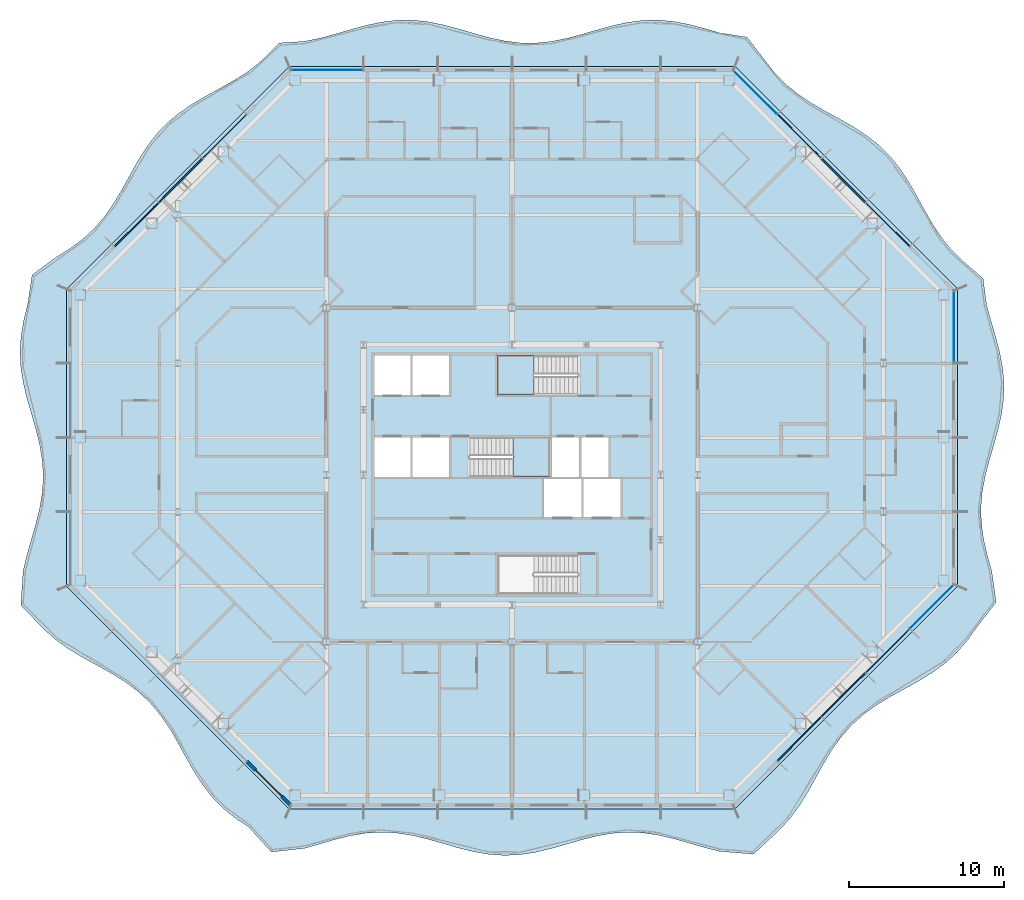
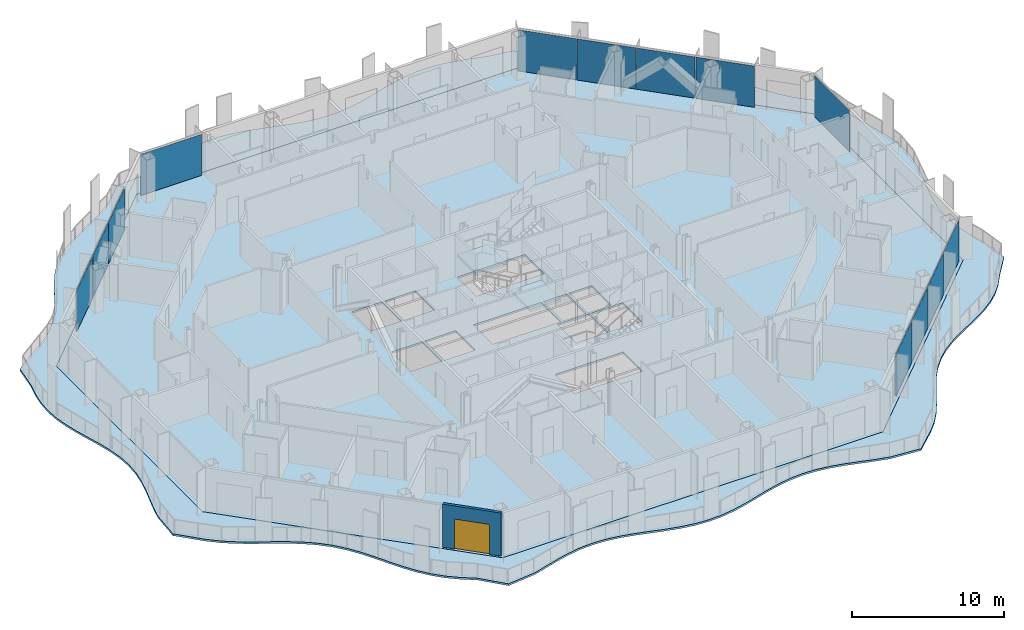
# One storey, part 6 of 21: 13 plates, 4 slabs, 1 door, 1 wall, 1 opening, 7 elements without a shape of their own.
"""IFC4 building model written with IfcOpenShell, lengths in metres."""

from ifc_helpers import new_model, si_unit, direction, frame, frame_2d, origin, origin_2d, place, context, subcontext, project, spatial, polyline, rectangle, outline, extrude, material, layer, layer_set, type_object, element, fill, aggregate, save


model = new_model("IFC4")

# Units and contexts
model_context = context("Model", 3, precision=1e-05, world=origin(), true_north=direction((0.0, 1.0)))
body_context = subcontext(model_context, "Body", "Model", "MODEL_VIEW")
ifc_project = project(units=[si_unit("LENGTHUNIT", "METRE"), si_unit("AREAUNIT", "SQUARE_METRE"), si_unit("VOLUMEUNIT", "CUBIC_METRE"), si_unit("PLANEANGLEUNIT", "RADIAN"), si_unit("MASSUNIT", "GRAM", prefix="KILO")], contexts=[model_context])

# Site, building, storey
site_placement = place(None, origin())
site = spatial("IfcSite", under=ifc_project, at=site_placement, CompositionType="ELEMENT")
building_placement = place(site_placement, origin())
building = spatial("IfcBuilding", under=site, at=building_placement, Name="Cairn Pilgrim Tower", CompositionType="ELEMENT")
storey_placement = place(building_placement, frame((0.0, 0.0, 143.39990234375)))
storey = spatial("IfcBuildingStorey", under=building, at=storey_placement, Name="L35", CompositionType="ELEMENT", Elevation=143.39990234375)

# Slabs
ifc_material_1 = material(Name="Concrete C35/45", Category="concrete")
ifc_layer_1 = layer(ifc_material_1, 0.14990234375)
ifc_layer_set_1 = layer_set([ifc_layer_1], Name="BALCONY SLAB 150 CONCRETE C35/45")
slab_type_1 = type_object("IfcSlabType", Name="BALCONY SLAB 150 CONCRETE C35/45", PredefinedType="FLOOR", material=ifc_layer_set_1)
slab_1_placement = place(storey_placement, frame((0.0, 0.0, -0.14990234375)))
element("IfcSlab", 1, at=slab_1_placement, inside=storey, type_object=slab_type_1, Name="Balcony slab BS-1", PredefinedType="FLOOR", context=body_context, shape_type="SweptSolid", body=[
    extrude(outline(polyline([(-9.81591796875, -20.375732421875), (-8.3515625, -21.980224609375), (-6.206787109375, -21.73876953125), (-5.2138671875, -21.4541015625), (-4.220703125, -21.168701171875), (-3.2275390625, -20.925537109375), (-2.234375, -20.760986328125), (-1.241455078125, -20.7001953125), (-0.248291015625, -20.751708984375), (0.744873046875, -20.908203125), (1.738037109375, -21.146240234375), (2.73095703125, -21.4296875), (3.72412109375, -21.71630859375), (4.71728515625, -21.962890625), (5.71044921875, -22.13232421875), (6.703369140625, -22.199462890625), (7.696533203125, -22.154052734375), (8.689697265625, -22.002685546875), (9.682861328125, -21.7685546875), (10.67578125, -21.486572265625), (11.6689453125, -21.198974609375), (12.662109375, -20.94921875), (13.6552734375, -20.7744140625), (14.648193359375, -20.701416015625), (15.641357421875, -20.740478515625), (16.634521484375, -20.88623046875), (17.627685546875, -21.11669921875), (18.62060546875, -21.397216796875), (19.61376953125, -21.685546875), (20.60693359375, -21.938720703125), (22.808837890625, -22.1181640625), (24.43994140625, -20.599853515625), (25.133056640625, -19.85302734375), (25.746826171875, -19.02685546875), (26.298095703125, -18.13818359375), (26.813720703125, -17.213623046875), (27.32568359375, -16.28564453125), (27.86669921875, -15.38671875), (28.46533203125, -14.54541015625), (29.140625, -13.78076171875), (29.899658203125, -13.099609375), (30.736083984375, -12.49609375), (31.631591796875, -11.95166015625), (32.55859375, -11.438720703125), (33.484619140625, -10.924560546875), (34.376708984375, -10.376708984375), (35.2080078125, -9.767822265625), (35.9609375, -9.080810546875), (36.630126953125, -8.31005859375), (37.223876953125, -7.4638671875), (38.49169921875, -5.83203125), (38.198486328125, -3.78955078125), (37.913330078125, -2.779052734375), (37.680419921875, -1.768310546875), (37.5361328125, -0.7578125), (37.502685546875, 0.252685546875), (37.58544921875, 1.26318359375), (37.771484375, 2.273681640625), (38.031982421875, 3.2841796875), (38.326171875, 4.294677734375), (38.608642578125, 5.30517578125), (38.83544921875, 6.315673828125), (38.97119140625, 7.326416015625), (38.99462890625, 8.3369140625), (38.902587890625, 9.347412109375), (38.708984375, 10.35791015625), (38.444091796875, 11.368408203125), (38.149169921875, 12.37890625), (37.86962890625, 13.389404296875), (37.6494140625, 15.083251953125), (36.356201171875, 16.196044921875), (35.627197265625, 16.9072265625), (34.98095703125, 17.700927734375), (34.40576171875, 18.565673828125), (33.87841796875, 19.478515625), (33.369140625, 20.4091796875), (32.84423828125, 21.32421875), (32.273193359375, 22.193115234375), (31.63232421875, 22.9921875), (30.9091796875, 23.709228515625), (30.104248046875, 24.34423828125), (29.23095703125, 24.9111328125), (28.313720703125, 25.43359375), (27.383056640625, 25.943115234375), (26.472900390625, 26.472900390625), (25.61279296875, 27.052734375), (24.824951171875, 27.705078125), (24.1201171875, 28.440185546875), (23.495849609375, 29.255859375), (22.38330078125, 30.691162109375), (20.60693359375, 30.968505859375), (19.61376953125, 31.258056640625), (18.62060546875, 31.516357421875), (17.627685546875, 31.70458984375), (16.634521484375, 31.794677734375), (15.641357421875, 31.772705078125), (14.648193359375, 31.642333984375), (13.6552734375, 31.423095703125), (12.662109375, 31.147705078125), (11.6689453125, 30.857666015625), (10.67578125, 30.596435546875), (9.682861328125, 30.403564453125), (8.689697265625, 30.307373046875), (7.696533203125, 30.322998046875), (6.703369140625, 30.44775390625), (5.71044921875, 30.662841796875), (4.71728515625, 30.936279296875), (3.72412109375, 31.2265625), (2.73095703125, 31.490478515625), (1.738037109375, 31.688232421875), (0.744873046875, 31.7900390625), (-0.248291015625, 31.78076171875), (-1.241455078125, 31.661865234375), (-2.234375, 31.450927734375), (-3.2275390625, 31.179931640625), (-4.220703125, 30.88916015625), (-5.2138671875, 30.622802734375), (-6.206787109375, 30.42041015625), (-7.82666015625, 30.312744140625), (-8.992919921875, 29.15283203125), (-9.7978515625, 28.517822265625), (-10.671142578125, 27.951171875), (-11.58837890625, 27.428466796875), (-12.51904296875, 26.9189453125), (-13.42919921875, 26.38916015625), (-14.289306640625, 25.809326171875), (-15.076904296875, 25.156982421875), (-15.78173828125, 24.421875), (-16.406005859375, 23.60595703125), (-16.964599609375, 22.724609375), (-17.4833984375, 21.803466796875), (-17.993896484375, 20.873779296875), (-18.529052734375, 19.968994140625), (-19.1181640625, 19.1181640625), (-19.781982421875, 18.342041015625), (-20.529296875, 17.649169921875), (-21.355712890625, 17.03564453125), (-22.244384765625, 16.484375), (-23.81884765625, 15.319091796875), (-24.11083984375, 13.389404296875), (-24.3623046875, 12.37890625), (-24.5341796875, 11.368408203125), (-24.599853515625, 10.35791015625), (-24.548828125, 9.347412109375), (-24.38916015625, 8.3369140625), (-24.145751953125, 7.326416015625), (-23.8564453125, 6.315673828125), (-23.566162109375, 5.30517578125), (-23.31982421875, 4.294677734375), (-23.156005859375, 3.2841796875), (-23.10009765625, 2.273681640625), (-23.16064453125, 1.26318359375), (-23.328369140625, 0.252685546875), (-23.5771484375, -0.7578125), (-23.868408203125, -1.768310546875), (-24.15673828125, -2.779052734375), (-24.3974609375, -3.78955078125), (-24.552978515625, -6.023193359375), (-23.000732421875, -7.640869140625), (-22.22998046875, -8.309814453125), (-21.383544921875, -8.903564453125), (-20.4814453125, -9.44140625), (-19.552490234375, -9.952392578125), (-18.629638671875, -10.469482421875), (-17.744873046875, -11.02490234375), (-16.924072265625, -11.64404296875), (-16.183349609375, -12.34326171875), (-15.52587890625, -13.1259765625), (-14.94189453125, -13.981689453125), (-14.40966796875, -14.8896484375), (-13.899658203125, -15.81982421875), (-13.379150390625, -16.739013671875), (-12.81591796875, -17.615966796875), (-12.18603515625, -18.426025390625), (-11.474609375, -19.154541015625), (-10.6806640625, -19.80078125), (-9.81591796875, -20.375732421875)]), holes=[polyline([(21.60009765625, -19.199951171875), (-7.199951171875, -19.199951171875), (-21.60009765625, -4.800048828125), (-21.60009765625, 14.39990234375), (-7.199951171875, 28.800048828125), (21.60009765625, 28.800048828125), (36.0, 14.39990234375), (36.0, -4.800048828125), (21.60009765625, -19.199951171875)])]), origin(), (0.0, 0.0, 1.0), 0.14990234375),
])
ifc_layer_2 = layer(ifc_material_1, 0.14990234375)
ifc_layer_set_2 = layer_set([ifc_layer_2], Name="COMPOSITE FLOOR SLAB 150")
slab_type_2 = type_object("IfcSlabType", Name="COMPOSITE FLOOR SLAB 150", PredefinedType="FLOOR", material=ifc_layer_set_2)
slab_2_placement = place(storey_placement, frame((0.0, 0.0, -0.14990234375)))
element("IfcSlab", 2, at=slab_2_placement, inside=storey, type_object=slab_type_2, Name="FLOOR SLAB L35", PredefinedType="FLOOR", context=body_context, shape_type="SweptSolid", body=[
    extrude(outline(polyline([(-7.199951171875, -19.199951171875), (21.60009765625, -19.199951171875), (36.0, -4.800048828125), (36.0, 14.39990234375), (21.60009765625, 28.800048828125), (-7.199951171875, 28.800048828125), (-21.60009765625, 14.39990234375), (-21.60009765625, -4.800048828125), (-7.199951171875, -19.199951171875)]), holes=[polyline([(9.27490234375, -0.324951171875), (11.675048828125, -0.324951171875), (11.675048828125, 2.125), (9.27490234375, 2.125), (9.27490234375, -0.324951171875)]), polyline([(11.824951171875, -0.324951171875), (14.22509765625, -0.324951171875), (14.22509765625, 2.125), (11.824951171875, 2.125), (11.824951171875, -0.324951171875)]), polyline([(-1.72509765625, 2.27490234375), (0.625, 2.27490234375), (0.625, 4.824951171875), (-1.72509765625, 4.824951171875), (-1.72509765625, 2.27490234375)]), polyline([(0.77490234375, 2.27490234375), (3.125, 2.27490234375), (3.125, 4.824951171875), (0.77490234375, 4.824951171875), (0.77490234375, 2.27490234375)]), polyline([(-1.72509765625, 7.574951171875), (0.625, 7.574951171875), (0.625, 10.10009765625), (-1.72509765625, 10.10009765625), (-1.72509765625, 7.574951171875)]), polyline([(0.77490234375, 7.574951171875), (3.125, 7.574951171875), (3.125, 10.10009765625), (0.77490234375, 10.10009765625), (0.77490234375, 7.574951171875)]), polyline([(9.77490234375, 2.27490234375), (11.52490234375, 2.27490234375), (11.52490234375, 4.824951171875), (9.77490234375, 4.824951171875), (9.77490234375, 2.27490234375)]), polyline([(11.675048828125, 2.27490234375), (13.425048828125, 2.27490234375), (13.425048828125, 4.824951171875), (11.675048828125, 4.824951171875), (11.675048828125, 2.27490234375)]), polyline([(11.424560546875, -2.77490234375), (6.27490234375, -2.77490234375), (6.27490234375, -5.300048828125), (11.424560546875, -5.300048828125), (11.424560546875, -2.77490234375)]), polyline([(4.4755859375, 2.27490234375), (9.625, 2.27490234375), (9.625, 4.824951171875), (4.4755859375, 4.824951171875), (4.4755859375, 2.27490234375)]), polyline([(11.424560546875, 10.10009765625), (6.27490234375, 10.10009765625), (6.27490234375, 7.574951171875), (11.424560546875, 7.574951171875), (11.424560546875, 10.10009765625)])]), origin(), (0.0, 0.0, 1.0), 0.14990234375),
])

# Curtain wall, plates
ifc_material_2 = material(Name="Aluminium alloy 6063-T6 bronze anodised with Bronze tinted laminated low-E glass 8+16+8.8", Category="aluminium")
curtain_wall_type_1 = type_object("IfcCurtainWallType", Name="CHAMFER CORNER CURTAIN WALL", PredefinedType="NOTDEFINED", material=ifc_material_2)
curtain_wall_1_placement = place(storey_placement, origin())
curtain_wall_1 = element("IfcCurtainWall", 3, at=curtain_wall_1_placement, inside=storey, type_object=curtain_wall_type_1, Name="Chamfer Corner Curtain Wall SE", PredefinedType="NOTDEFINED")
ifc_material_3 = material(Name="Bronze anodised aluminium spandrel panel with mineral wool insulation", Category="aluminium")
ifc_layer_3 = layer(ifc_material_3, 0.06005859375)
ifc_layer_set_3 = layer_set([ifc_layer_3], Name="SPANDREL PANEL 3972x3300")
plate_type_1 = type_object("IfcPlateType", Name="SPANDREL PANEL 3972x3300", PredefinedType="CURTAIN_PANEL", material=ifc_layer_set_3)
plate_1_placement = place(storey_placement, frame((25.7724609375, -14.673828125, 0.0), z_axis=(0.0, 0.0, 1.0), x_axis=(0.707106781187, 0.707106781187, 0.0)))
plate_1 = element("IfcPlate", 4, at=plate_1_placement, type_object=plate_type_1, Name="Spandrel Panel SE2-1", PredefinedType="CURTAIN_PANEL", context=body_context, shape_type="SweptSolid", body=[
    extrude(rectangle(XDim=3.971435546875, YDim=0.06005859375, at=origin_2d()), origin(), (0.0, 0.0, 1.0), 3.300048828125),
])
plate_2_placement = place(storey_placement, frame((28.623291015625, -11.8232421875, 0.0), z_axis=(0.0, 0.0, 1.0), x_axis=(0.707106781187, 0.707106781187, 0.0)))
plate_2 = element("IfcPlate", 5, at=plate_2_placement, type_object=plate_type_1, Name="Spandrel Panel SE3-1", PredefinedType="CURTAIN_PANEL", context=body_context, shape_type="SweptSolid", body=[
    extrude(rectangle(XDim=3.971435546875, YDim=0.06005859375, at=origin_2d()), origin(), (0.0, 0.0, 1.0), 3.300048828125),
])
plate_3_placement = place(storey_placement, frame((31.473876953125, -8.972412109375, 0.0), z_axis=(0.0, 0.0, 1.0), x_axis=(0.707106781187, 0.707106781187, 0.0)))
plate_3 = element("IfcPlate", 6, at=plate_3_placement, type_object=plate_type_1, Name="Spandrel Panel SE4-1", PredefinedType="CURTAIN_PANEL", context=body_context, shape_type="SweptSolid", body=[
    extrude(rectangle(XDim=3.971435546875, YDim=0.06005859375, at=origin_2d()), origin(), (0.0, 0.0, 1.0), 3.300048828125),
])

curtain_wall_2_placement = place(storey_placement, origin())
curtain_wall_2 = element("IfcCurtainWall", 7, at=curtain_wall_2_placement, inside=storey, type_object=curtain_wall_type_1, Name="Chamfer Corner Curtain Wall NE", PredefinedType="NOTDEFINED")
plate_4_placement = place(storey_placement, frame((31.473876953125, 18.572509765625, 0.0), z_axis=(0.0, 0.0, 1.0), x_axis=(-0.707106781187, 0.707106781187, 0.0)))
plate_4 = element("IfcPlate", 8, at=plate_4_placement, type_object=plate_type_1, Name="Spandrel Panel NE2-1", PredefinedType="CURTAIN_PANEL", context=body_context, shape_type="SweptSolid", body=[
    extrude(rectangle(XDim=3.971435546875, YDim=0.06005859375, at=origin_2d()), origin(), (0.0, 0.0, 1.0), 3.300048828125),
])
plate_5_placement = place(storey_placement, frame((28.623291015625, 21.42333984375, 0.0), z_axis=(0.0, 0.0, 1.0), x_axis=(-0.707106781187, 0.707106781187, 0.0)))
plate_5 = element("IfcPlate", 9, at=plate_5_placement, type_object=plate_type_1, Name="Spandrel Panel NE3-1", PredefinedType="CURTAIN_PANEL", context=body_context, shape_type="SweptSolid", body=[
    extrude(rectangle(XDim=3.971435546875, YDim=0.06005859375, at=origin_2d()), origin(), (0.0, 0.0, 1.0), 3.300048828125),
])
plate_6_placement = place(storey_placement, frame((25.7724609375, 24.27392578125, 0.0), z_axis=(0.0, 0.0, 1.0), x_axis=(-0.707106781187, 0.707106781187, 0.0)))
plate_6 = element("IfcPlate", 10, at=plate_6_placement, type_object=plate_type_1, Name="Spandrel Panel NE4-1", PredefinedType="CURTAIN_PANEL", context=body_context, shape_type="SweptSolid", body=[
    extrude(rectangle(XDim=3.971435546875, YDim=0.06005859375, at=origin_2d()), origin(), (0.0, 0.0, 1.0), 3.300048828125),
])

curtain_wall_3_placement = place(storey_placement, origin())
curtain_wall_3 = element("IfcCurtainWall", 11, at=curtain_wall_3_placement, inside=storey, type_object=curtain_wall_type_1, Name="Chamfer Corner Curtain Wall NW", PredefinedType="NOTDEFINED")
plate_7_placement = place(storey_placement, frame((-11.37255859375, 24.27392578125, 0.0), z_axis=(0.0, 0.0, 1.0), x_axis=(-0.707106781187, -0.707106781187, 0.0)))
plate_7 = element("IfcPlate", 12, at=plate_7_placement, type_object=plate_type_1, Name="Spandrel Panel NW2-1", PredefinedType="CURTAIN_PANEL", context=body_context, shape_type="SweptSolid", body=[
    extrude(rectangle(XDim=3.971435546875, YDim=0.06005859375, at=origin_2d()), origin(), (0.0, 0.0, 1.0), 3.300048828125),
])
plate_8_placement = place(storey_placement, frame((-14.22314453125, 21.42333984375, 0.0), z_axis=(0.0, 0.0, 1.0), x_axis=(-0.707106781187, -0.707106781187, 0.0)))
plate_8 = element("IfcPlate", 13, at=plate_8_placement, type_object=plate_type_1, Name="Spandrel Panel NW3-1", PredefinedType="CURTAIN_PANEL", context=body_context, shape_type="SweptSolid", body=[
    extrude(rectangle(XDim=3.971435546875, YDim=0.06005859375, at=origin_2d()), origin(), (0.0, 0.0, 1.0), 3.300048828125),
])
plate_9_placement = place(storey_placement, frame((-17.073974609375, 18.572509765625, 0.0), z_axis=(0.0, 0.0, 1.0), x_axis=(-0.707106781187, -0.707106781187, 0.0)))
plate_9 = element("IfcPlate", 14, at=plate_9_placement, type_object=plate_type_1, Name="Spandrel Panel NW4-1", PredefinedType="CURTAIN_PANEL", context=body_context, shape_type="SweptSolid", body=[
    extrude(rectangle(XDim=3.971435546875, YDim=0.06005859375, at=origin_2d()), origin(), (0.0, 0.0, 1.0), 3.300048828125),
])
aggregate(curtain_wall_3, [plate_7, plate_8, plate_9])

# Stair, slab
ifc_material_4 = material(Name="Concrete C32/40", Category="concrete")
stair_type = type_object("IfcStairType", Name="EXIT STAIR 1200", PredefinedType="HALF_TURN_STAIR", material=ifc_material_4)
stair_1_placement = place(storey_placement, origin())
stair_1 = element("IfcStair", 15, at=stair_1_placement, inside=storey, type_object=stair_type, Name="L35 Exit Stair B", PredefinedType="HALF_TURN_STAIR")
ifc_layer_4 = layer(ifc_material_4, 0.199951171875)
ifc_layer_set_4 = layer_set([ifc_layer_4], Name="STAIR LANDING 200")
slab_type_3 = type_object("IfcSlabType", Name="STAIR LANDING 200", PredefinedType="LANDING", material=ifc_layer_set_4)
slab_3_placement = place(storey_placement, frame((0.0, 0.0, 1.60009765625)))
slab_3 = element("IfcSlab", 16, at=slab_3_placement, type_object=slab_type_3, Name="ST-B landing 1", PredefinedType="LANDING", context=body_context, shape_type="SweptSolid", body=[
    extrude(outline(polyline([(7.27490234375, 2.27490234375), (9.625, 2.27490234375), (9.625, 4.824951171875), (7.27490234375, 4.824951171875), (7.27490234375, 2.27490234375)])), origin(), (0.0, 0.0, 1.0), 0.199951171875),
])
aggregate(stair_1, [slab_3])

stair_2_placement = place(storey_placement, origin())
stair_2 = element("IfcStair", 17, at=stair_2_placement, inside=storey, type_object=stair_type, Name="L35 Exit Stair C", PredefinedType="HALF_TURN_STAIR")
slab_4_placement = place(storey_placement, frame((0.0, 0.0, 1.60009765625)))
slab_4 = element("IfcSlab", 18, at=slab_4_placement, type_object=slab_type_3, Name="ST-C landing 1", PredefinedType="LANDING", context=body_context, shape_type="SweptSolid", body=[
    extrude(outline(polyline([(8.625, 10.10009765625), (6.27490234375, 10.10009765625), (6.27490234375, 7.574951171875), (8.625, 7.574951171875), (8.625, 10.10009765625)])), origin(), (0.0, 0.0, 1.0), 0.199951171875),
])
aggregate(stair_2, [slab_4])

# Plate
ifc_material_5 = material(Name="Bronze tinted laminated low-E glass 8+16+8.8", Category="glass")
ifc_layer_5 = layer(ifc_material_5, 0.033935546875)
ifc_layer_set_5 = layer_set([ifc_layer_5], Name="VISION GLAZING 3962x3300")
plate_type_2 = type_object("IfcPlateType", Name="VISION GLAZING 3962x3300", PredefinedType="CURTAIN_PANEL", material=ifc_layer_set_5)
plate_10_placement = place(storey_placement, frame((34.321044921875, -6.125244140625, 0.0), z_axis=(0.0, 0.0, 1.0), x_axis=(0.707106781187, 0.707106781187, 0.0)))
plate_10 = element("IfcPlate", 19, at=plate_10_placement, type_object=plate_type_2, Name="Vision Glazing SE5-1", PredefinedType="CURTAIN_PANEL", context=body_context, shape_type="SweptSolid", body=[
    extrude(rectangle(XDim=3.96142578125, YDim=0.033935546875, at=origin_2d()), origin(), (0.0, 0.0, 1.0), 3.300048828125),
])

aggregate(curtain_wall_1, [plate_1, plate_2, plate_3, plate_10])

plate_11_placement = place(storey_placement, frame((22.92529296875, 27.12109375, 0.0), z_axis=(0.0, 0.0, 1.0), x_axis=(-0.707106781187, 0.707106781187, 0.0)))
plate_11 = element("IfcPlate", 20, at=plate_11_placement, type_object=plate_type_2, Name="Vision Glazing NE5-1", PredefinedType="CURTAIN_PANEL", context=body_context, shape_type="SweptSolid", body=[
    extrude(rectangle(XDim=3.96142578125, YDim=0.033935546875, at=origin_2d()), origin(), (0.0, 0.0, 1.0), 3.300048828125),
])

aggregate(curtain_wall_2, [plate_4, plate_5, plate_6, plate_11])

# Curtain wall, plate
curtain_wall_type_2 = type_object("IfcCurtainWallType", Name="TOWER STICK CURTAIN WALL EW", PredefinedType="NOTDEFINED", material=ifc_material_2)
curtain_wall_4_placement = place(storey_placement, origin())
curtain_wall_4 = element("IfcCurtainWall", 21, at=curtain_wall_4_placement, inside=storey, type_object=curtain_wall_type_2, Name="Tower Stick Curtain Wall Ew E", PredefinedType="NOTDEFINED")
ifc_layer_6 = layer(ifc_material_5, 0.033935546875)
ifc_layer_set_6 = layer_set([ifc_layer_6], Name="VISION GLAZING 4626x3300")
plate_type_3 = type_object("IfcPlateType", Name="VISION GLAZING 4626x3300", PredefinedType="CURTAIN_PANEL", material=ifc_layer_set_6)
plate_12_placement = place(storey_placement, frame((35.75, 11.943115234375, 0.0), z_axis=(0.0, 0.0, 1.0), x_axis=(0.0, 1.0, 0.0)))
plate_12 = element("IfcPlate", 22, at=plate_12_placement, type_object=plate_type_3, Name="Vision Glazing E4-1", PredefinedType="CURTAIN_PANEL", context=body_context, shape_type="SweptSolid", body=[
    extrude(rectangle(XDim=4.62646484375, YDim=0.033935546875, at=origin_2d()), origin(), (0.0, 0.0, 1.0), 3.300048828125),
])
aggregate(curtain_wall_4, [plate_12])

curtain_wall_type_3 = type_object("IfcCurtainWallType", Name="TOWER STICK CURTAIN WALL NS", PredefinedType="NOTDEFINED", material=ifc_material_2)
curtain_wall_5_placement = place(storey_placement, origin())
curtain_wall_5 = element("IfcCurtainWall", 23, at=curtain_wall_5_placement, inside=storey, type_object=curtain_wall_type_3, Name="Tower Stick Curtain Wall Ns N", PredefinedType="NOTDEFINED")
plate_13_placement = place(storey_placement, frame((-4.7431640625, 28.550048828125, 0.0), z_axis=(0.0, 0.0, 1.0), x_axis=(-1.0, 0.0, 0.0)))
plate_13 = element("IfcPlate", 24, at=plate_13_placement, type_object=plate_type_3, Name="Vision Glazing N6-1", PredefinedType="CURTAIN_PANEL", context=body_context, shape_type="SweptSolid", body=[
    extrude(rectangle(XDim=4.62646484375, YDim=0.033935546875, at=origin_2d()), origin(), (0.0, 0.0, 1.0), 3.300048828125),
])
aggregate(curtain_wall_5, [plate_13])

# Wall, opening, door
ifc_material_6 = material(Name="Bronze anodised aluminium insulated sandwich panel with mineral wool fill", Category="aluminium")
ifc_layer_7 = layer(ifc_material_6, 0.199951171875)
ifc_layer_set_7 = layer_set([ifc_layer_7], Name="BRONZE INFILL FRAME WALL 200")
wall_type = type_object("IfcWallType", Name="BRONZE INFILL FRAME WALL 200", PredefinedType="NOTDEFINED", material=ifc_layer_set_7)
wall_placement = place(storey_placement, frame((-9.926025390625, -16.12060546875, 0.0), z_axis=(0.0, 0.0, 1.0), x_axis=(0.707137595296, -0.707075965734, 0.0)))
wall = element("IfcWall", 25, at=wall_placement, inside=storey, type_object=wall_type, Name="Bronze infill frame wall IW-SW5", PredefinedType="NOTDEFINED", context=body_context, shape_type="SweptSolid", body=[
    extrude(rectangle(XDim=3.96142578125, YDim=0.199951171875, at=frame_2d((1.980712890625, 0.0))), origin(), (0.0, 0.0, 1.0), 3.4501953125),
])
opening_placement = place(wall_placement, frame((0.78564453125, 0.0, 0.0)))
opening = element("IfcOpeningElement", 26, at=opening_placement, cuts=wall, Name="Opening 3520B2", PredefinedType="OPENING", context=body_context, shape_type="SweptSolid", body=[
    extrude(rectangle(XDim=2.39990234375, YDim=2.39990234375, at=frame_2d((1.199951171875, 1.199951171875))), frame((0.0, 0.10986328125, 0.0), z_axis=(0.0, -1.0, 0.0), x_axis=(1.0, 0.0, 0.0)), (0.0, 0.0, 1.0), 0.219970703125),
])
ifc_material_7 = material(Name="Bronze anodised aluminium frame with tinted low-E glass", Category="aluminium")
door_type = type_object("IfcDoorType", Name="BALCONY SLIDING DOOR 2400x2400", OperationType="DOUBLE_DOOR_SLIDING", PredefinedType="DOOR", material=ifc_material_7)
door_placement = place(opening_placement, origin())
door = element("IfcDoor", 27, at=door_placement, inside=storey, type_object=door_type, Name="Balcony sliding door 3520B2", OperationType="SINGLE_SWING_LEFT", OverallHeight=2.39990234375, OverallWidth=2.39990234375, PredefinedType="DOOR", context=body_context, shape_type="SweptSolid", body=[
    extrude(rectangle(XDim=2.39990234375, YDim=2.39990234375, at=frame_2d((1.199951171875, 1.199951171875))), frame((0.0, 0.02490234375, 0.0), z_axis=(0.0, -1.0, 0.0), x_axis=(1.0, 0.0, 0.0)), (0.0, 0.0, 1.0), 0.050048828125),
])
fill(opening, door)

save(model, "model.ifc")
